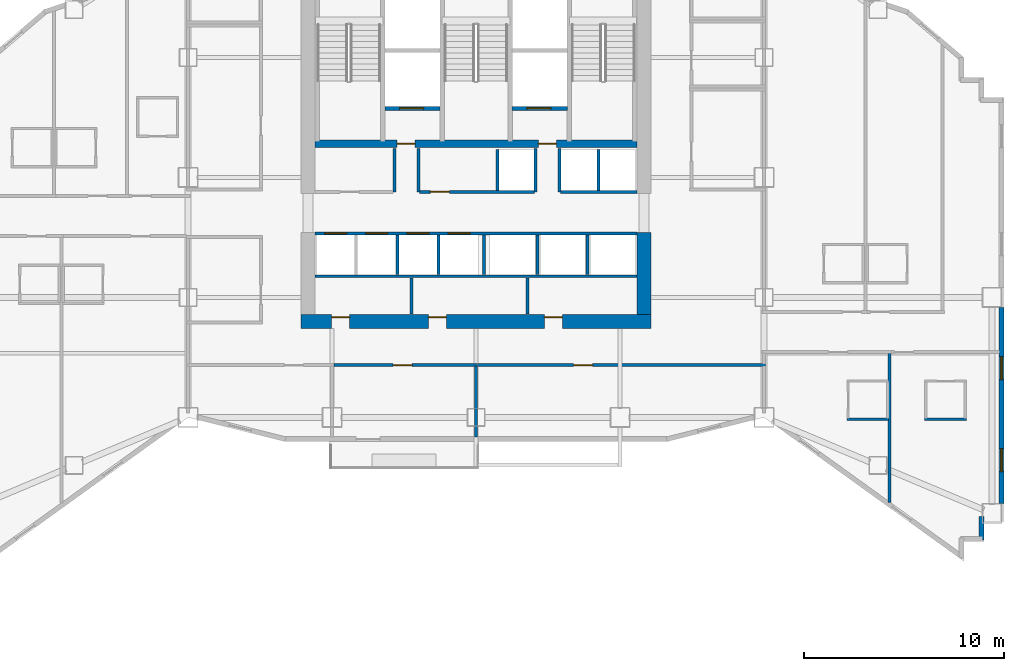
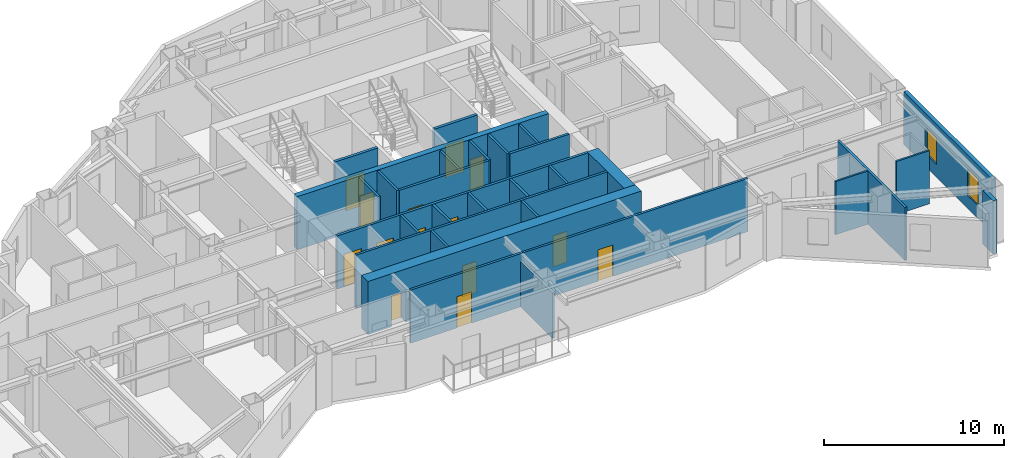
# One storey, part 9 of 14: 30 walls, 14 doors, 2 windows, 16 openings.
"""IFC4 building model written with IfcOpenShell, lengths in metres."""

from ifc_helpers import new_model, si_unit, direction, frame, frame_2d, origin, place, context, subcontext, project, spatial, rectangle, extrude, material, layer, layer_set, type_object, element, fill, save


model = new_model("IFC4")

# Units and contexts
model_context = context("Model", 3, precision=1e-05, world=origin(), true_north=direction((0.0, 1.0)))
body_context = subcontext(model_context, "Body", "Model", "MODEL_VIEW")
ifc_project = project(units=[si_unit("LENGTHUNIT", "METRE"), si_unit("AREAUNIT", "SQUARE_METRE"), si_unit("VOLUMEUNIT", "CUBIC_METRE"), si_unit("PLANEANGLEUNIT", "RADIAN"), si_unit("MASSUNIT", "GRAM", prefix="KILO")], contexts=[model_context])

# Site, building, storey
site_placement = place(None, origin())
site = spatial("IfcSite", under=ifc_project, at=site_placement, CompositionType="ELEMENT")
building_placement = place(site_placement, origin())
building = spatial("IfcBuilding", under=site, at=building_placement, Name="Haolan Belvedere Tower", CompositionType="ELEMENT")
storey_placement = place(building_placement, frame((0.0, 0.0, 148.60009765625)))
storey = spatial("IfcBuildingStorey", under=building, at=storey_placement, Name="L37", CompositionType="ELEMENT", Elevation=148.60009765625)

# Wall, openings, doors
ifc_material_1 = material(Name="Concrete C60/75", Category="concrete")
ifc_layer_1 = layer(ifc_material_1, 0.699951171875, Name="Concrete C60/75")
ifc_layer_set_1 = layer_set([ifc_layer_1], Name="Concrete C60/75")
wall_type_1 = type_object("IfcWallType", Name="WL-CORE-700", PredefinedType="SHEAR", material=ifc_layer_set_1)
wall_1_placement = place(storey_placement, frame((29.64990234375, 26.39990234375, 0.0), z_axis=(0.0, 0.0, 1.0), x_axis=(1.0, 0.0, 0.0)))
wall_1 = element("IfcWall", 1, at=wall_1_placement, inside=storey, type_object=wall_type_1, Name="L37 central core south shear wall", PredefinedType="SHEAR", context=body_context, shape_type="SweptSolid", body=[
    extrude(rectangle(XDim=17.5, YDim=0.699951171875, at=frame_2d((8.75, 0.0))), origin(), (0.0, 0.0, 1.0), 3.599853515625),
])
opening_1_placement = place(wall_1_placement, frame((2.419921875, 0.0, 0.0), z_axis=(0.0, 0.0, 1.0), x_axis=(-1.0, 0.0, 0.0)))
opening_1 = element("IfcOpeningElement", 2, at=opening_1_placement, cuts=wall_1, Name="Opening FD-05", PredefinedType="OPENING", context=body_context, shape_type="SweptSolid", body=[
    extrude(rectangle(XDim=0.89990234375, YDim=2.10009765625, at=frame_2d((0.449951171875, 1.050048828125))), frame((0.0, 0.35986328125, 0.0), z_axis=(0.0, -1.0, 0.0), x_axis=(1.0, 0.0, 0.0)), (0.0, 0.0, 1.0), 0.719970703125),
])
opening_2_placement = place(wall_1_placement, frame((7.260009765625, 0.0, 0.0), z_axis=(0.0, 0.0, 1.0), x_axis=(-1.0, 0.0, 0.0)))
opening_2 = element("IfcOpeningElement", 3, at=opening_2_placement, cuts=wall_1, Name="Opening FD-05", PredefinedType="OPENING", context=body_context, shape_type="SweptSolid", body=[
    extrude(rectangle(XDim=0.89990234375, YDim=2.10009765625, at=frame_2d((0.449951171875, 1.050048828125))), frame((0.0, 0.35986328125, 0.0), z_axis=(0.0, -1.0, 0.0), x_axis=(1.0, 0.0, 0.0)), (0.0, 0.0, 1.0), 0.719970703125),
])
opening_3_placement = place(wall_1_placement, frame((13.059814453125, 0.0, 0.0), z_axis=(0.0, 0.0, 1.0), x_axis=(-1.0, 0.0, 0.0)))
opening_3 = element("IfcOpeningElement", 4, at=opening_3_placement, cuts=wall_1, Name="Opening FD-05", PredefinedType="OPENING", context=body_context, shape_type="SweptSolid", body=[
    extrude(rectangle(XDim=0.89990234375, YDim=2.10009765625, at=frame_2d((0.449951171875, 1.050048828125))), frame((0.0, 0.35986328125, 0.0), z_axis=(0.0, -1.0, 0.0), x_axis=(1.0, 0.0, 0.0)), (0.0, 0.0, 1.0), 0.719970703125),
])
ifc_material_2 = material(Name="Galvanised fire-rated steel", Category="steel")
door_type_1 = type_object("IfcDoorType", Name="DR-FD60-900", OperationType="NOTDEFINED", PredefinedType="DOOR", material=ifc_material_2)
door_1_placement = place(opening_1_placement, origin())
door_1 = element("IfcDoor", 5, at=door_1_placement, inside=storey, type_object=door_type_1, Name="L37 door CD-L37-SCV-1", OperationType="SINGLE_SWING_LEFT", OverallHeight=2.10009765625, OverallWidth=0.89990234375, PredefinedType="DOOR", context=body_context, shape_type="SweptSolid", body=[
    extrude(rectangle(XDim=0.89990234375, YDim=2.10009765625, at=frame_2d((0.449951171875, 1.050048828125))), frame((0.0, -0.19482421875, 0.0), z_axis=(0.0, -1.0, 0.0), x_axis=(1.0, 0.0, 0.0)), (0.0, 0.0, 1.0), 0.050048828125),
])
fill(opening_1, door_1)
door_2_placement = place(opening_2_placement, origin())
door_2 = element("IfcDoor", 6, at=door_2_placement, inside=storey, type_object=door_type_1, Name="L37 door CD-L37-SCV-2", OperationType="SINGLE_SWING_RIGHT", OverallHeight=2.10009765625, OverallWidth=0.89990234375, PredefinedType="DOOR", context=body_context, shape_type="SweptSolid", body=[
    extrude(rectangle(XDim=0.89990234375, YDim=2.10009765625, at=frame_2d((0.449951171875, 1.050048828125))), frame((0.0, -0.19482421875, 0.0), z_axis=(0.0, -1.0, 0.0), x_axis=(1.0, 0.0, 0.0)), (0.0, 0.0, 1.0), 0.050048828125),
])
fill(opening_2, door_2)
door_3_placement = place(opening_3_placement, origin())
door_3 = element("IfcDoor", 7, at=door_3_placement, inside=storey, type_object=door_type_1, Name="L37 door CD-L37-SCV-3", OperationType="SINGLE_SWING_LEFT", OverallHeight=2.10009765625, OverallWidth=0.89990234375, PredefinedType="DOOR", context=body_context, shape_type="SweptSolid", body=[
    extrude(rectangle(XDim=0.89990234375, YDim=2.10009765625, at=frame_2d((0.449951171875, 1.050048828125))), frame((0.0, -0.19482421875, 0.0), z_axis=(0.0, -1.0, 0.0), x_axis=(1.0, 0.0, 0.0)), (0.0, 0.0, 1.0), 0.050048828125),
])
fill(opening_3, door_3)

# Walls
wall_2_placement = place(storey_placement, frame((46.800048828125, 26.75, 0.0), z_axis=(0.0, 0.0, 1.0), x_axis=(0.0, 1.0, 0.0)))
element("IfcWall", 8, at=wall_2_placement, inside=storey, type_object=wall_type_1, Name="L37 central core shear wall ES", PredefinedType="SHEAR", context=body_context, shape_type="SweptSolid", body=[
    extrude(rectangle(XDim=4.10009765625, YDim=0.699951171875, at=frame_2d((2.050048828125, 0.0))), origin(), (0.0, 0.0, 1.0), 3.599853515625),
])
ifc_material_3 = material(Name="Precast concrete C40/50", Category="concrete")
ifc_layer_2 = layer(ifc_material_3, 0.239990234375, Name="Precast concrete C40/50")
ifc_layer_set_2 = layer_set([ifc_layer_2], Name="Precast concrete C40/50")
wall_type_2 = type_object("IfcWallType", Name="WL-EXT-240", PredefinedType="SOLIDWALL", material=ifc_layer_set_2)
wall_3_placement = place(storey_placement, frame((63.679931640625, 15.465087890625, 0.0), z_axis=(0.0, 0.0, 1.0), x_axis=(0.0, 1.0, 0.0)))
element("IfcWall", 9, at=wall_3_placement, inside=storey, type_object=wall_type_2, Name="L37 pale-metal exterior spandrel wall 12.1", PredefinedType="SOLIDWALL", context=body_context, shape_type="SweptSolid", body=[
    extrude(rectangle(XDim=1.1748046875, YDim=0.239990234375, at=frame_2d((0.58740234375, 0.0))), origin(), (0.0, 0.0, 1.0), 3.599853515625),
])

# Wall, openings, windows
wall_4_placement = place(storey_placement, frame((64.679931640625, 17.2919921875, 0.0), z_axis=(0.0, 0.0, 1.0), x_axis=(0.0, 1.0, 0.0)))
wall_4 = element("IfcWall", 10, at=wall_4_placement, inside=storey, type_object=wall_type_2, Name="L37 pale-metal exterior spandrel wall 14.1", PredefinedType="SOLIDWALL", context=body_context, shape_type="SweptSolid", body=[
    extrude(rectangle(XDim=9.81591796875, YDim=0.239990234375, at=frame_2d((4.907958984375, 0.0))), origin(), (0.0, 0.0, 1.0), 3.599853515625),
])
opening_4_placement = place(wall_4_placement, frame((1.60009765625, 0.0, 0.85009765625)))
opening_4 = element("IfcOpeningElement", 11, at=opening_4_placement, cuts=wall_4, Name="Opening W-02", PredefinedType="OPENING", context=body_context, shape_type="SweptSolid", body=[
    extrude(rectangle(XDim=1.14990234375, YDim=1.800048828125, at=frame_2d((0.574951171875, 0.89990234375))), frame((0.0, 0.1298828125, 0.0), z_axis=(0.0, -1.0, 0.0), x_axis=(1.0, 0.0, 0.0)), (0.0, 0.0, 1.0), 0.260009765625),
])
opening_5_placement = place(wall_4_placement, frame((6.193115234375, 0.0, 0.85009765625)))
opening_5 = element("IfcOpeningElement", 12, at=opening_5_placement, cuts=wall_4, Name="Opening W-02", PredefinedType="OPENING", context=body_context, shape_type="SweptSolid", body=[
    extrude(rectangle(XDim=1.14990234375, YDim=1.800048828125, at=frame_2d((0.574951171875, 0.89990234375))), frame((0.0, 0.1298828125, 0.0), z_axis=(0.0, -1.0, 0.0), x_axis=(1.0, 0.0, 0.0)), (0.0, 0.0, 1.0), 0.260009765625),
])
ifc_material_4 = material(Name="Anodised aluminium 6063-T6 and Low-E glass", Category="aluminium")
window_type = type_object("IfcWindowType", Name="WN-DECO-Z2", PartitioningType="SINGLE_PANEL", PredefinedType="WINDOW", material=ifc_material_4)
window_1_placement = place(opening_4_placement, origin())
window_1 = element("IfcWindow", 13, at=window_1_placement, inside=storey, type_object=window_type, Name="L37 Art Deco chevron window 1", OverallHeight=1.800048828125, OverallWidth=1.14990234375, PartitioningType="SINGLE_PANEL", PredefinedType="WINDOW", context=body_context, shape_type="SweptSolid", body=[
    extrude(rectangle(XDim=1.14990234375, YDim=1.800048828125, at=frame_2d((0.574951171875, 0.89990234375))), frame((0.0, 0.030029296875, 0.0), z_axis=(0.0, -1.0, 0.0), x_axis=(1.0, 0.0, 0.0)), (0.0, 0.0, 1.0), 0.06005859375),
])
fill(opening_4, window_1)
window_2_placement = place(opening_5_placement, origin())
window_2 = element("IfcWindow", 14, at=window_2_placement, inside=storey, type_object=window_type, Name="L37 Art Deco chevron window 2", OverallHeight=1.800048828125, OverallWidth=1.14990234375, PartitioningType="SINGLE_PANEL", PredefinedType="WINDOW", context=body_context, shape_type="SweptSolid", body=[
    extrude(rectangle(XDim=1.14990234375, YDim=1.800048828125, at=frame_2d((0.574951171875, 0.89990234375))), frame((0.0, 0.030029296875, 0.0), z_axis=(0.0, -1.0, 0.0), x_axis=(1.0, 0.0, 0.0)), (0.0, 0.0, 1.0), 0.06005859375),
])
fill(opening_5, window_2)

# Walls
ifc_material_5 = material(Name="Double gypsum acoustic stud partition", Category="masonry")
ifc_layer_3 = layer(ifc_material_5, 0.14990234375, Name="Double gypsum acoustic stud partition")
ifc_layer_set_3 = layer_set([ifc_layer_3], Name="Double gypsum acoustic stud partition")
wall_type_3 = type_object("IfcWallType", Name="WL-PART-150", PredefinedType="PARTITIONING", material=ifc_layer_set_3)
wall_5_placement = place(storey_placement, frame((30.35009765625, 28.659912109375, 0.0), z_axis=(0.0, 0.0, 1.0), x_axis=(1.0, 0.0, 0.0)))
element("IfcWall", 15, at=wall_5_placement, inside=storey, type_object=wall_type_3, Name="L37 interior partition IW-L37-SSTRIP-N", PredefinedType="PARTITIONING", context=body_context, shape_type="SweptSolid", body=[
    extrude(rectangle(XDim=16.099853515625, YDim=0.14990234375, at=frame_2d((8.0498046875, 0.0))), origin(), (0.0, 0.0, 1.0), 3.599853515625),
])
for number, where, z_axis, x_axis, name in (
    (16, (35.179931640625, 26.760009765625, 0.0), (0.0, 0.0, 1.0), (0.0, 1.0, 0.0), "L37 interior partition IW-L37-SCV-DIV-1"),
    (17, (40.97998046875, 26.760009765625, 0.0), (0.0, 0.0, 1.0), (0.0, 1.0, 0.0), "L37 interior partition IW-L37-SCV-DIV-2"),
):
    element("IfcWall", number, at=place(storey_placement, frame(where, z_axis=z_axis, x_axis=x_axis)), inside=storey, type_object=wall_type_3, Name=name, PredefinedType="PARTITIONING", context=body_context, shape_type="SweptSolid", body=[
        extrude(rectangle(XDim=1.820068359375, YDim=0.14990234375, at=frame_2d((0.91015625, 0.0))), origin(), (0.0, 0.0, 1.0), 3.599853515625),
    ])

# Wall, opening, door
wall_6_placement = place(storey_placement, frame((31.281982421875, 24.219970703125, 0.0), z_axis=(0.0, 0.0, 1.0), x_axis=(1.0, 0.0, 0.0)))
wall_6 = element("IfcWall", 18, at=wall_6_placement, inside=storey, type_object=wall_type_3, Name="L37 interior partition IW-L37-KS2-N", PredefinedType="PARTITIONING", context=body_context, shape_type="SweptSolid", body=[
    extrude(rectangle(XDim=7.197998046875, YDim=0.14990234375, at=frame_2d((3.59912109375, 0.0))), origin(), (0.0, 0.0, 1.0), 3.599853515625),
])
opening_6_placement = place(wall_6_placement, frame((3.912841796875, 0.0, 0.0), z_axis=(0.0, 0.0, 1.0), x_axis=(-1.0, 0.0, 0.0)))
opening_6 = element("IfcOpeningElement", 19, at=opening_6_placement, cuts=wall_6, Name="Opening ID-03", PredefinedType="OPENING", context=body_context, shape_type="SweptSolid", body=[
    extrude(rectangle(XDim=0.949951171875, YDim=2.1201171875, at=frame_2d((0.47509765625, 1.06005859375))), frame((0.0, 0.0849609375, 0.0), z_axis=(0.0, -1.0, 0.0), x_axis=(1.0, 0.0, 0.0)), (0.0, 0.0, 1.0), 0.169921875),
])
ifc_material_6 = material(Name="Painted solid-core timber", Category="wood")
door_type_2 = type_object("IfcDoorType", Name="DR-INT-950", OperationType="NOTDEFINED", PredefinedType="DOOR", material=ifc_material_6)
door_4_placement = place(opening_6_placement, origin())
door_4 = element("IfcDoor", 20, at=door_4_placement, inside=storey, type_object=door_type_2, Name="L37 door ID-L37-KS2", OperationType="SINGLE_SWING_RIGHT", OverallHeight=2.1201171875, OverallWidth=0.949951171875, PredefinedType="DOOR", context=body_context, shape_type="SweptSolid", body=[
    extrude(rectangle(XDim=0.949951171875, YDim=2.1201171875, at=frame_2d((0.47509765625, 1.06005859375))), frame((0.0, 0.02490234375, 0.0), z_axis=(0.0, -1.0, 0.0), x_axis=(1.0, 0.0, 0.0)), (0.0, 0.0, 1.0), 0.050048828125),
])
fill(opening_6, door_4)

# Wall
wall_7_placement = place(storey_placement, frame((38.39990234375, 20.625, 0.0), z_axis=(0.0, 0.0, 1.0), x_axis=(0.0, 1.0, 0.0)))
element("IfcWall", 21, at=wall_7_placement, inside=storey, type_object=wall_type_3, Name="L37 interior partition IW-L37-KS2-E", PredefinedType="PARTITIONING", context=body_context, shape_type="SweptSolid", body=[
    extrude(rectangle(XDim=3.534912109375, YDim=0.14990234375, at=frame_2d((1.767578125, 0.0))), origin(), (0.0, 0.0, 1.0), 3.0849609375),
])

# Wall, opening, door
wall_8_placement = place(storey_placement, frame((38.48193359375, 24.219970703125, 0.0), z_axis=(0.0, 0.0, 1.0), x_axis=(1.0, 0.0, 0.0)))
wall_8 = element("IfcWall", 22, at=wall_8_placement, inside=storey, type_object=wall_type_3, Name="L37 interior partition IW-L37-KS3-N", PredefinedType="PARTITIONING", context=body_context, shape_type="SweptSolid", body=[
    extrude(rectangle(XDim=14.39794921875, YDim=0.14990234375, at=frame_2d((7.198974609375, 0.0))), origin(), (0.0, 0.0, 1.0), 3.599853515625),
])
opening_7_placement = place(wall_8_placement, frame((5.742919921875, 0.0, 0.0), z_axis=(0.0, 0.0, 1.0), x_axis=(-1.0, 0.0, 0.0)))
opening_7 = element("IfcOpeningElement", 23, at=opening_7_placement, cuts=wall_8, Name="Opening ID-03", PredefinedType="OPENING", context=body_context, shape_type="SweptSolid", body=[
    extrude(rectangle(XDim=0.949951171875, YDim=2.1201171875, at=frame_2d((0.47509765625, 1.06005859375))), frame((0.0, 0.0849609375, 0.0), z_axis=(0.0, -1.0, 0.0), x_axis=(1.0, 0.0, 0.0)), (0.0, 0.0, 1.0), 0.169921875),
])
door_5_placement = place(opening_7_placement, origin())
door_5 = element("IfcDoor", 24, at=door_5_placement, inside=storey, type_object=door_type_2, Name="L37 door ID-L37-KS3", OperationType="SINGLE_SWING_LEFT", OverallHeight=2.1201171875, OverallWidth=0.949951171875, PredefinedType="DOOR", context=body_context, shape_type="SweptSolid", body=[
    extrude(rectangle(XDim=0.949951171875, YDim=2.1201171875, at=frame_2d((0.47509765625, 1.06005859375))), frame((0.0, 0.02490234375, 0.0), z_axis=(0.0, -1.0, 0.0), x_axis=(1.0, 0.0, 0.0)), (0.0, 0.0, 1.0), 0.050048828125),
])
fill(opening_7, door_5)

# Walls
wall_9_placement = place(storey_placement, frame((59.080078125, 17.355712890625, 0.0), z_axis=(0.0, 0.0, 1.0), x_axis=(0.0, 1.0, 0.0)))
element("IfcWall", 25, at=wall_9_placement, inside=storey, type_object=wall_type_3, Name="L37 interior partition IW-L37-T4S1-E", PredefinedType="PARTITIONING", context=body_context, shape_type="SweptSolid", body=[
    extrude(rectangle(XDim=7.454345703125, YDim=0.14990234375, at=frame_2d((3.72705078125, 0.0))), origin(), (0.0, 0.0, 1.0), 3.599853515625),
])
ifc_material_7 = material(Name="Gypsum fire shaftwall assembly", Category="masonry")
ifc_layer_4 = layer(ifc_material_7, 0.1650390625, Name="Gypsum fire shaftwall assembly")
ifc_layer_set_4 = layer_set([ifc_layer_4], Name="Gypsum fire shaftwall assembly")
wall_type_4 = type_object("IfcWallType", Name="WL-SHAFT-160", PredefinedType="SOLIDWALL", material=ifc_layer_set_4)
for number, where, z_axis, x_axis, name in (
    (26, (34.31005859375, 32.8798828125, 0.0), (0.0, 0.0, 1.0), (0.0, 1.0, 0.0), "L37 interior partition IW-L37-SVP-W-SV1"),
    (27, (35.510009765625, 32.8798828125, 0.0), (0.0, 0.0, 1.0), (0.0, 1.0, 0.0), "L37 interior partition IW-L37-SVP-E-SV1"),
    (28, (41.3701171875, 32.8798828125, 0.0), (0.0, 0.0, 1.0), (0.0, 1.0, 0.0), "L37 interior partition IW-L37-SVP-W-SV2"),
    (29, (42.570068359375, 32.8798828125, 0.0), (0.0, 0.0, 1.0), (0.0, 1.0, 0.0), "L37 interior partition IW-L37-SVP-E-SV2"),
):
    element("IfcWall", number, at=place(storey_placement, frame(where, z_axis=z_axis, x_axis=x_axis)), inside=storey, type_object=wall_type_4, Name=name, PredefinedType="SOLIDWALL", context=body_context, shape_type="SweptSolid", body=[
        extrude(rectangle(XDim=2.170166015625, YDim=0.14990234375, at=frame_2d((1.0849609375, 0.0))), origin(), (0.0, 0.0, 1.0), 3.599853515625),
    ])

# Wall, opening, door
wall_10_placement = place(storey_placement, frame((35.570068359375, 32.8798828125, 0.0), z_axis=(0.0, 0.0, 1.0), x_axis=(1.0, 0.0, 0.0)))
wall_10 = element("IfcWall", 30, at=wall_10_placement, inside=storey, type_object=wall_type_4, Name="L37 interior partition IW-L37-ROW-PN2", PredefinedType="SOLIDWALL", context=body_context, shape_type="SweptSolid", body=[
    extrude(rectangle(XDim=5.739990234375, YDim=0.159912109375, at=frame_2d((2.8701171875, 0.0))), origin(), (0.0, 0.0, 1.0), 3.599853515625),
])
opening_8_placement = place(wall_10_placement, frame((1.489990234375, 0.0, 0.0), z_axis=(0.0, 0.0, 1.0), x_axis=(-1.0, 0.0, 0.0)))
opening_8 = element("IfcOpeningElement", 31, at=opening_8_placement, cuts=wall_10, Name="Opening ID-03", PredefinedType="OPENING", context=body_context, shape_type="SweptSolid", body=[
    extrude(rectangle(XDim=0.949951171875, YDim=2.1201171875, at=frame_2d((0.47509765625, 1.06005859375))), frame((0.0, 0.08984375, 0.0), z_axis=(0.0, -1.0, 0.0), x_axis=(1.0, 0.0, 0.0)), (0.0, 0.0, 1.0), 0.179931640625),
])
door_6_placement = place(opening_8_placement, origin())
door_6 = element("IfcDoor", 32, at=door_6_placement, inside=storey, type_object=door_type_2, Name="L37 door ID-L37-CD-RPLE", OperationType="SINGLE_SWING_RIGHT", OverallHeight=2.1201171875, OverallWidth=0.949951171875, PredefinedType="DOOR", context=body_context, shape_type="SweptSolid", body=[
    extrude(rectangle(XDim=0.949951171875, YDim=2.1201171875, at=frame_2d((0.47509765625, 1.06005859375))), frame((0.0, 0.02490234375, 0.0), z_axis=(0.0, -1.0, 0.0), x_axis=(1.0, 0.0, 0.0)), (0.0, 0.0, 1.0), 0.050048828125),
])
fill(opening_8, door_6)

# Walls
wall_11_placement = place(storey_placement, frame((42.6298828125, 32.8798828125, 0.0), z_axis=(0.0, 0.0, 1.0), x_axis=(1.0, 0.0, 0.0)))
element("IfcWall", 33, at=wall_11_placement, inside=storey, type_object=wall_type_4, Name="L37 interior partition IW-L37-ROW-PN3", PredefinedType="SOLIDWALL", context=body_context, shape_type="SweptSolid", body=[
    extrude(rectangle(XDim=3.820068359375, YDim=0.159912109375, at=frame_2d((1.91015625, 0.0))), origin(), (0.0, 0.0, 1.0), 3.599853515625),
])
for number, where, z_axis, x_axis, name in (
    (34, (39.469970703125, 32.949951171875, 0.0), (0.0, 0.0, 1.0), (0.0, 1.0, 0.0), "L37 interior partition IW-L37-DIV-PL4R"),
    (35, (44.530029296875, 32.949951171875, 0.0), (0.0, 0.0, 1.0), (0.0, 1.0, 0.0), "L37 interior partition IW-L37-DIV-PH2"),
):
    element("IfcWall", number, at=place(storey_placement, frame(where, z_axis=z_axis, x_axis=x_axis)), inside=storey, type_object=wall_type_4, Name=name, PredefinedType="SOLIDWALL", context=body_context, shape_type="SweptSolid", body=[
        extrude(rectangle(XDim=2.050048828125, YDim=0.14990234375, at=frame_2d((1.02490234375, 0.0))), origin(), (0.0, 0.0, 1.0), 3.599853515625),
    ])

# Wall, openings, doors
wall_12_placement = place(storey_placement, frame((30.35009765625, 30.800048828125, 0.0), z_axis=(0.0, 0.0, 1.0), x_axis=(1.0, 0.0, 0.0)))
wall_12 = element("IfcWall", 36, at=wall_12_placement, inside=storey, type_object=wall_type_4, Name="L37 interior partition IW-L37-ROW-PS", PredefinedType="SOLIDWALL", context=body_context, shape_type="SweptSolid", body=[
    extrude(rectangle(XDim=16.099853515625, YDim=0.159912109375, at=frame_2d((8.0498046875, 0.0))), origin(), (0.0, 0.0, 1.0), 3.599853515625),
])
opening_9_placement = place(wall_12_placement, frame((0.469970703125, 0.0, 0.0)))
opening_9 = element("IfcOpeningElement", 37, at=opening_9_placement, cuts=wall_12, Name="Opening LD-01", PredefinedType="OPENING", context=body_context, shape_type="SweptSolid", body=[
    extrude(rectangle(XDim=1.10009765625, YDim=2.199951171875, at=frame_2d((0.550048828125, 1.10009765625))), frame((0.0, 0.08984375, 0.0), z_axis=(0.0, -1.0, 0.0), x_axis=(1.0, 0.0, 0.0)), (0.0, 0.0, 1.0), 0.179931640625),
])
opening_10_placement = place(wall_12_placement, frame((2.530029296875, 0.0, 0.0)))
opening_10 = element("IfcOpeningElement", 38, at=opening_10_placement, cuts=wall_12, Name="Opening LD-01", PredefinedType="OPENING", context=body_context, shape_type="SweptSolid", body=[
    extrude(rectangle(XDim=1.10009765625, YDim=2.199951171875, at=frame_2d((0.550048828125, 1.10009765625))), frame((0.0, 0.08984375, 0.0), z_axis=(0.0, -1.0, 0.0), x_axis=(1.0, 0.0, 0.0)), (0.0, 0.0, 1.0), 0.179931640625),
])
opening_11_placement = place(wall_12_placement, frame((4.590087890625, 0.0, 0.0)))
opening_11 = element("IfcOpeningElement", 39, at=opening_11_placement, cuts=wall_12, Name="Opening LD-01", PredefinedType="OPENING", context=body_context, shape_type="SweptSolid", body=[
    extrude(rectangle(XDim=1.10009765625, YDim=2.199951171875, at=frame_2d((0.550048828125, 1.10009765625))), frame((0.0, 0.08984375, 0.0), z_axis=(0.0, -1.0, 0.0), x_axis=(1.0, 0.0, 0.0)), (0.0, 0.0, 1.0), 0.179931640625),
])
opening_12_placement = place(wall_12_placement, frame((6.64990234375, 0.0, 0.0)))
opening_12 = element("IfcOpeningElement", 40, at=opening_12_placement, cuts=wall_12, Name="Opening LD-01", PredefinedType="OPENING", context=body_context, shape_type="SweptSolid", body=[
    extrude(rectangle(XDim=1.10009765625, YDim=2.199951171875, at=frame_2d((0.550048828125, 1.10009765625))), frame((0.0, 0.08984375, 0.0), z_axis=(0.0, -1.0, 0.0), x_axis=(1.0, 0.0, 0.0)), (0.0, 0.0, 1.0), 0.179931640625),
])
ifc_material_8 = material(Name="Brushed champagne stainless steel 316L", Category="steel")
door_type_3 = type_object("IfcDoorType", Name="DR-LIFT-1100", OperationType="SLIDING_TO_LEFT", PredefinedType="DOOR", material=ifc_material_8)
door_7_placement = place(opening_9_placement, origin())
door_7 = element("IfcDoor", 41, at=door_7_placement, inside=storey, type_object=door_type_3, Name="L37 door ID-L37-LD-PM1", OperationType="SLIDING_TO_LEFT", OverallHeight=2.199951171875, OverallWidth=1.10009765625, PredefinedType="DOOR", context=body_context, shape_type="SweptSolid", body=[
    extrude(rectangle(XDim=1.10009765625, YDim=2.199951171875, at=frame_2d((0.550048828125, 1.10009765625))), frame((0.0, 0.02490234375, 0.0), z_axis=(0.0, -1.0, 0.0), x_axis=(1.0, 0.0, 0.0)), (0.0, 0.0, 1.0), 0.050048828125),
])
fill(opening_9, door_7)
door_8_placement = place(opening_10_placement, origin())
door_8 = element("IfcDoor", 42, at=door_8_placement, inside=storey, type_object=door_type_3, Name="L37 door ID-L37-LD-PM2", OperationType="SLIDING_TO_LEFT", OverallHeight=2.199951171875, OverallWidth=1.10009765625, PredefinedType="DOOR", context=body_context, shape_type="SweptSolid", body=[
    extrude(rectangle(XDim=1.10009765625, YDim=2.199951171875, at=frame_2d((0.550048828125, 1.10009765625))), frame((0.0, 0.02490234375, 0.0), z_axis=(0.0, -1.0, 0.0), x_axis=(1.0, 0.0, 0.0)), (0.0, 0.0, 1.0), 0.050048828125),
])
fill(opening_10, door_8)
door_9_placement = place(opening_11_placement, origin())
door_9 = element("IfcDoor", 43, at=door_9_placement, inside=storey, type_object=door_type_3, Name="L37 door ID-L37-LD-PM3", OperationType="SLIDING_TO_LEFT", OverallHeight=2.199951171875, OverallWidth=1.10009765625, PredefinedType="DOOR", context=body_context, shape_type="SweptSolid", body=[
    extrude(rectangle(XDim=1.10009765625, YDim=2.199951171875, at=frame_2d((0.550048828125, 1.10009765625))), frame((0.0, 0.02490234375, 0.0), z_axis=(0.0, -1.0, 0.0), x_axis=(1.0, 0.0, 0.0)), (0.0, 0.0, 1.0), 0.050048828125),
])
fill(opening_11, door_9)
door_10_placement = place(opening_12_placement, origin())
door_10 = element("IfcDoor", 44, at=door_10_placement, inside=storey, type_object=door_type_3, Name="L37 door ID-L37-LD-PM4", OperationType="SLIDING_TO_LEFT", OverallHeight=2.199951171875, OverallWidth=1.10009765625, PredefinedType="DOOR", context=body_context, shape_type="SweptSolid", body=[
    extrude(rectangle(XDim=1.10009765625, YDim=2.199951171875, at=frame_2d((0.550048828125, 1.10009765625))), frame((0.0, 0.02490234375, 0.0), z_axis=(0.0, -1.0, 0.0), x_axis=(1.0, 0.0, 0.0)), (0.0, 0.0, 1.0), 0.050048828125),
])
fill(opening_12, door_10)

# Walls
for number, where, z_axis, x_axis, name in (
    (45, (34.4599609375, 28.735107421875, 0.0), (0.0, 0.0, 1.0), (0.0, 1.0, 0.0), "L37 interior partition IW-L37-DIV-PM2"),
    (46, (36.52001953125, 28.735107421875, 0.0), (0.0, 0.0, 1.0), (0.0, 1.0, 0.0), "L37 interior partition IW-L37-DIV-PM3"),
    (47, (38.800048828125, 28.735107421875, 0.0), (0.0, 0.0, 1.0), (0.0, 1.0, 0.0), "L37 interior partition IW-L37-DIV-PM4"),
):
    element("IfcWall", number, at=place(storey_placement, frame(where, z_axis=z_axis, x_axis=x_axis)), inside=storey, type_object=wall_type_4, Name=name, PredefinedType="SOLIDWALL", context=body_context, shape_type="SweptSolid", body=[
        extrude(rectangle(XDim=1.98486328125, YDim=0.14990234375, at=frame_2d((0.992431640625, 0.0))), origin(), (0.0, 0.0, 1.0), 3.599853515625),
    ])
for number, where, z_axis, x_axis, name in (
    (48, (41.469970703125, 28.75, 0.0), (0.0, 0.0, 1.0), (0.0, 1.0, 0.0), "L37 interior partition IW-L37-DIV-OB1"),
    (49, (43.97998046875, 28.75, 0.0), (0.0, 0.0, 1.0), (0.0, 1.0, 0.0), "L37 interior partition IW-L37-DIV-OB2"),
):
    element("IfcWall", number, at=place(storey_placement, frame(where, z_axis=z_axis, x_axis=x_axis)), inside=storey, type_object=wall_type_4, Name=name, PredefinedType="SOLIDWALL", context=body_context, shape_type="SweptSolid", body=[
        extrude(rectangle(XDim=1.985107421875, YDim=0.14990234375, at=frame_2d((0.99267578125, 0.0))), origin(), (0.0, 0.0, 1.0), 3.599853515625),
    ])

# Wall, opening, door
ifc_layer_5 = layer(ifc_material_3, 0.179931640625, Name="Precast concrete C40/50")
ifc_layer_set_5 = layer_set([ifc_layer_5], Name="Precast concrete C40/50")
wall_type_5 = type_object("IfcWallType", Name="WL-SHAFT-180", PredefinedType="SOLIDWALL", material=ifc_layer_set_5)
wall_13_placement = place(storey_placement, frame((33.8349609375, 37.050048828125, 0.0), z_axis=(0.0, 0.0, 1.0), x_axis=(1.0, 0.0, 0.0)))
wall_13 = element("IfcWall", 50, at=wall_13_placement, inside=storey, type_object=wall_type_5, Name="L37 interior partition IW-L37-SV1-S", PredefinedType="SOLIDWALL", context=body_context, shape_type="SweptSolid", body=[
    extrude(rectangle(XDim=2.77001953125, YDim=0.179931640625, at=frame_2d((1.385009765625, 0.0))), origin(), (0.0, 0.0, 1.0), 3.599853515625),
])
opening_13_placement = place(wall_13_placement, frame((1.945068359375, 0.0, 0.0), z_axis=(0.0, 0.0, 1.0), x_axis=(-1.0, 0.0, 0.0)))
opening_13 = element("IfcOpeningElement", 51, at=opening_13_placement, cuts=wall_13, Name="Opening LD-02", PredefinedType="OPENING", context=body_context, shape_type="SweptSolid", body=[
    extrude(rectangle(XDim=1.199951171875, YDim=2.199951171875, at=frame_2d((0.60009765625, 1.10009765625))), frame((0.0, 0.099853515625, 0.0), z_axis=(0.0, -1.0, 0.0), x_axis=(1.0, 0.0, 0.0)), (0.0, 0.0, 1.0), 0.199951171875),
])
door_type_4 = type_object("IfcDoorType", Name="DR-LIFT-1200", OperationType="SLIDING_TO_RIGHT", PredefinedType="DOOR", material=ifc_material_8)
door_11_placement = place(opening_13_placement, origin())
door_11 = element("IfcDoor", 52, at=door_11_placement, inside=storey, type_object=door_type_4, Name="L37 door ID-L37-LD-SV1", OperationType="SLIDING_TO_RIGHT", OverallHeight=2.199951171875, OverallWidth=1.199951171875, PredefinedType="DOOR", context=body_context, shape_type="SweptSolid", body=[
    extrude(rectangle(XDim=1.199951171875, YDim=2.199951171875, at=frame_2d((0.60009765625, 1.10009765625))), frame((0.0, 0.02490234375, 0.0), z_axis=(0.0, -1.0, 0.0), x_axis=(1.0, 0.0, 0.0)), (0.0, 0.0, 1.0), 0.050048828125),
])
fill(opening_13, door_11)

wall_14_placement = place(storey_placement, frame((40.195068359375, 37.050048828125, 0.0), z_axis=(0.0, 0.0, 1.0), x_axis=(1.0, 0.0, 0.0)))
wall_14 = element("IfcWall", 53, at=wall_14_placement, inside=storey, type_object=wall_type_5, Name="L37 interior partition IW-L37-SV2-S", PredefinedType="SOLIDWALL", context=body_context, shape_type="SweptSolid", body=[
    extrude(rectangle(XDim=2.77001953125, YDim=0.179931640625, at=frame_2d((1.385009765625, 0.0))), origin(), (0.0, 0.0, 1.0), 3.599853515625),
])
opening_14_placement = place(wall_14_placement, frame((1.945068359375, 0.0, 0.0), z_axis=(0.0, 0.0, 1.0), x_axis=(-1.0, 0.0, 0.0)))
opening_14 = element("IfcOpeningElement", 54, at=opening_14_placement, cuts=wall_14, Name="Opening LD-02", PredefinedType="OPENING", context=body_context, shape_type="SweptSolid", body=[
    extrude(rectangle(XDim=1.199951171875, YDim=2.199951171875, at=frame_2d((0.60009765625, 1.10009765625))), frame((0.0, 0.099853515625, 0.0), z_axis=(0.0, -1.0, 0.0), x_axis=(1.0, 0.0, 0.0)), (0.0, 0.0, 1.0), 0.199951171875),
])
door_12_placement = place(opening_14_placement, origin())
door_12 = element("IfcDoor", 55, at=door_12_placement, inside=storey, type_object=door_type_4, Name="L37 door ID-L37-LD-SV2", OperationType="SLIDING_TO_RIGHT", OverallHeight=2.199951171875, OverallWidth=1.199951171875, PredefinedType="DOOR", context=body_context, shape_type="SweptSolid", body=[
    extrude(rectangle(XDim=1.199951171875, YDim=2.199951171875, at=frame_2d((0.60009765625, 1.10009765625))), frame((0.0, 0.02490234375, 0.0), z_axis=(0.0, -1.0, 0.0), x_axis=(1.0, 0.0, 0.0)), (0.0, 0.0, 1.0), 0.050048828125),
])
fill(opening_14, door_12)

# Wall, openings, doors
ifc_layer_6 = layer(ifc_material_1, 0.360107421875, Name="Concrete C60/75")
ifc_layer_set_6 = layer_set([ifc_layer_6], Name="Concrete C60/75")
wall_type_6 = type_object("IfcWallType", Name="WL-WEB-350", PredefinedType="SHEAR", material=ifc_layer_set_6)
wall_15_placement = place(storey_placement, frame((30.35009765625, 35.2900390625, 0.0), z_axis=(0.0, 0.0, 1.0), x_axis=(1.0, 0.0, 0.0)))
wall_15 = element("IfcWall", 56, at=wall_15_placement, inside=storey, type_object=wall_type_6, Name="L37 central core internal shear web", PredefinedType="SHEAR", context=body_context, shape_type="SweptSolid", body=[
    extrude(rectangle(XDim=16.099853515625, YDim=0.360107421875, at=frame_2d((8.0498046875, 0.0))), origin(), (0.0, 0.0, 1.0), 3.599853515625),
])
opening_15_placement = place(wall_15_placement, frame((5.0, 0.0, 0.0), z_axis=(0.0, 0.0, 1.0), x_axis=(-1.0, 0.0, 0.0)))
opening_15 = element("IfcOpeningElement", 57, at=opening_15_placement, cuts=wall_15, Name="Opening FD-05", PredefinedType="OPENING", context=body_context, shape_type="SweptSolid", body=[
    extrude(rectangle(XDim=0.89990234375, YDim=2.10009765625, at=frame_2d((0.449951171875, 1.050048828125))), frame((0.0, 0.18994140625, 0.0), z_axis=(0.0, -1.0, 0.0), x_axis=(1.0, 0.0, 0.0)), (0.0, 0.0, 1.0), 0.380126953125),
])
opening_16_placement = place(wall_15_placement, frame((12.059814453125, 0.0, 0.0), z_axis=(0.0, 0.0, 1.0), x_axis=(-1.0, 0.0, 0.0)))
opening_16 = element("IfcOpeningElement", 58, at=opening_16_placement, cuts=wall_15, Name="Opening FD-05", PredefinedType="OPENING", context=body_context, shape_type="SweptSolid", body=[
    extrude(rectangle(XDim=0.89990234375, YDim=2.10009765625, at=frame_2d((0.449951171875, 1.050048828125))), frame((0.0, 0.18994140625, 0.0), z_axis=(0.0, -1.0, 0.0), x_axis=(1.0, 0.0, 0.0)), (0.0, 0.0, 1.0), 0.380126953125),
])
door_13_placement = place(opening_15_placement, origin())
door_13 = element("IfcDoor", 59, at=door_13_placement, inside=storey, type_object=door_type_1, Name="L37 door CD-L37-SVL-SV1", OperationType="SINGLE_SWING_RIGHT", OverallHeight=2.10009765625, OverallWidth=0.89990234375, PredefinedType="DOOR", context=body_context, shape_type="SweptSolid", body=[
    extrude(rectangle(XDim=0.89990234375, YDim=2.10009765625, at=frame_2d((0.449951171875, 1.050048828125))), frame((0.0, 0.02490234375, 0.0), z_axis=(0.0, -1.0, 0.0), x_axis=(1.0, 0.0, 0.0)), (0.0, 0.0, 1.0), 0.050048828125),
])
fill(opening_15, door_13)
door_14_placement = place(opening_16_placement, origin())
door_14 = element("IfcDoor", 60, at=door_14_placement, inside=storey, type_object=door_type_1, Name="L37 door CD-L37-SVL-SV2", OperationType="SINGLE_SWING_RIGHT", OverallHeight=2.10009765625, OverallWidth=0.89990234375, PredefinedType="DOOR", context=body_context, shape_type="SweptSolid", body=[
    extrude(rectangle(XDim=0.89990234375, YDim=2.10009765625, at=frame_2d((0.449951171875, 1.050048828125))), frame((0.0, 0.02490234375, 0.0), z_axis=(0.0, -1.0, 0.0), x_axis=(1.0, 0.0, 0.0)), (0.0, 0.0, 1.0), 0.050048828125),
])
fill(opening_16, door_14)

# Walls
ifc_material_9 = material(Name="Moisture-resistant gypsum tile partition", Category="masonry")
ifc_layer_7 = layer(ifc_material_9, 0.1201171875, Name="Moisture-resistant gypsum tile partition")
ifc_layer_set_7 = layer_set([ifc_layer_7], Name="Moisture-resistant gypsum tile partition")
wall_type_7 = type_object("IfcWallType", Name="WL-WET-120", PredefinedType="PARTITIONING", material=ifc_layer_set_7)
wall_16_placement = place(storey_placement, frame((56.93994140625, 21.5, 0.0), z_axis=(0.0, 0.0, 1.0), x_axis=(1.0, 0.0, 0.0)))
element("IfcWall", 61, at=wall_16_placement, inside=storey, type_object=wall_type_7, Name="L37 interior partition IW-L37-T4S1-BS", PredefinedType="PARTITIONING", context=body_context, shape_type="SweptSolid", body=[
    extrude(rectangle(XDim=2.080078125, YDim=0.1201171875, at=frame_2d((1.0400390625, 0.0))), origin(), (0.0, 0.0, 1.0), 3.599853515625),
])
wall_17_placement = place(storey_placement, frame((60.824951171875, 21.5, 0.0), z_axis=(0.0, 0.0, 1.0), x_axis=(1.0, 0.0, 0.0)))
element("IfcWall", 62, at=wall_17_placement, inside=storey, type_object=wall_type_7, Name="L37 interior partition IW-L37-T4S2-BS", PredefinedType="PARTITIONING", context=body_context, shape_type="SweptSolid", body=[
    extrude(rectangle(XDim=2.10009765625, YDim=0.1201171875, at=frame_2d((1.050048828125, 0.0))), origin(), (0.0, 0.0, 1.0), 3.599853515625),
])

save(model, "model.ifc")
